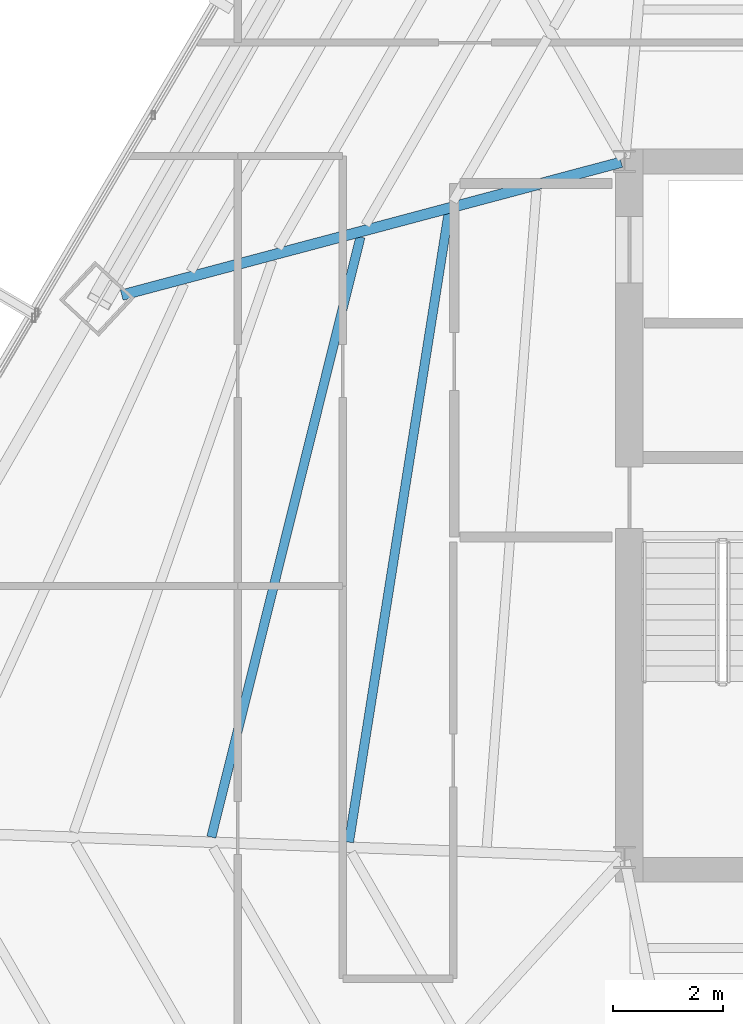
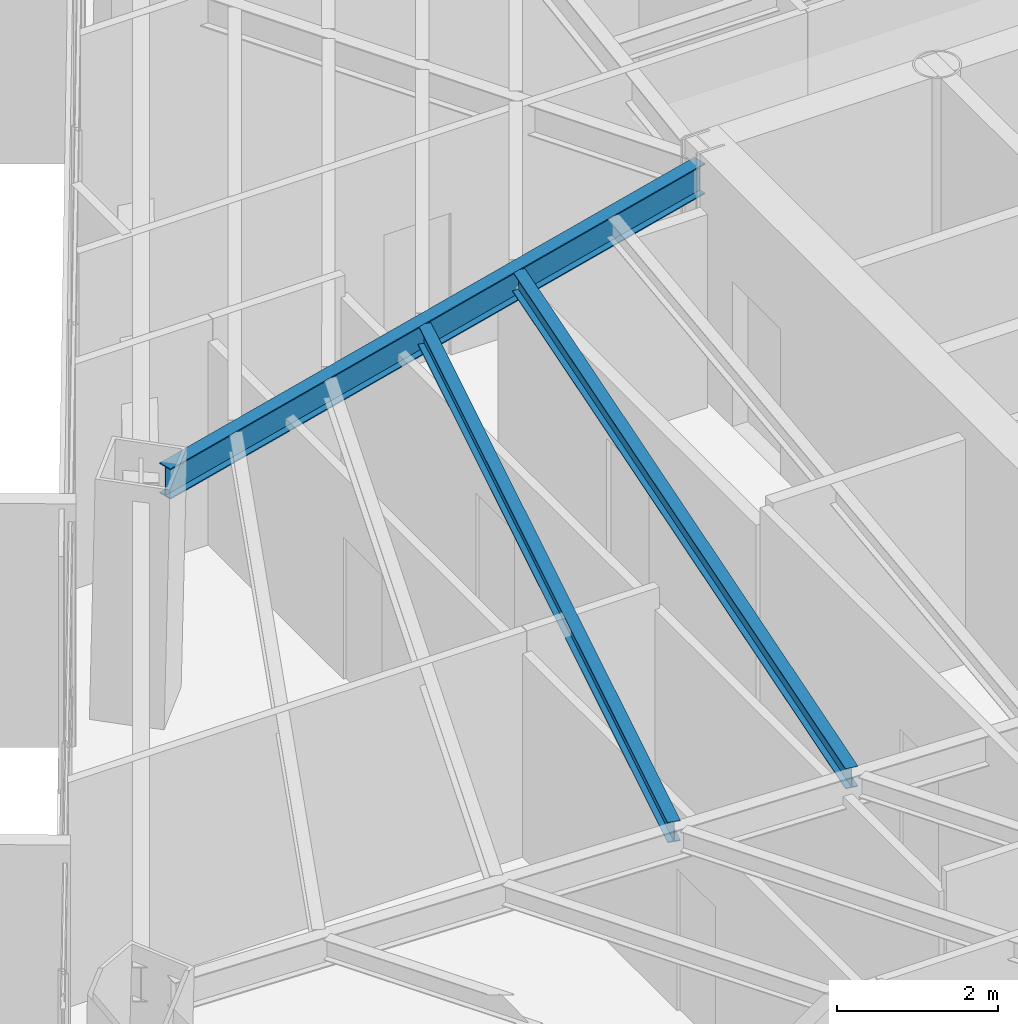
# One storey, part 13 of 41: 3 beams.
"""IFC4 building model written with IfcOpenShell, lengths in metres."""

from ifc_helpers import new_model, si_unit, direction, frame, origin, origin_2d, place, context, subcontext, project, spatial, i_section, extrude, source, transform, mapped, material, material_profile, profile_set, type_object, type_shapes, element, save


model = new_model("IFC4")

# Units and contexts
model_context = context("Model", 3, precision=1e-05, world=origin(), true_north=direction((0.0, 1.0)))
body_context = subcontext(model_context, "Body", "Model", "MODEL_VIEW")
ifc_project = project(units=[si_unit("LENGTHUNIT", "METRE"), si_unit("AREAUNIT", "SQUARE_METRE"), si_unit("VOLUMEUNIT", "CUBIC_METRE"), si_unit("PLANEANGLEUNIT", "RADIAN"), si_unit("MASSUNIT", "GRAM", prefix="KILO")], contexts=[model_context])

# Site, building, storey
site_placement = place(None, origin())
site = spatial("IfcSite", under=ifc_project, at=site_placement, CompositionType="ELEMENT")
building_placement = place(site_placement, origin())
building = spatial("IfcBuilding", under=site, at=building_placement, Name="Caelisora Broadcast Tower", CompositionType="ELEMENT")
storey_placement = place(building_placement, frame((0.0, 0.0, 162.14990234375)))
storey = spatial("IfcBuildingStorey", under=building, at=storey_placement, Name="L42", CompositionType="ELEMENT", Elevation=162.14990234375)

# Beams
ifc_material = material(Name="Steel Grade 350 (AS/NZS 3679.1)", Category="steel")
ifc_material_profile_1 = material_profile(ifc_material, i_section(OverallWidth=0.19091796875, OverallDepth=0.46044921875, WebThickness=0.010009765625, FlangeThickness=0.01611328125, at=origin_2d()), Name="Steel Grade 350 (AS/NZS 3679.1)")
ifc_profile_set_1 = profile_set([ifc_material_profile_1], Name="Steel Grade 350 (AS/NZS 3679.1)")
beam_type_1 = type_object("IfcBeamType", Name="PG06", PredefinedType="BEAM", material=ifc_profile_set_1)
shared_shape_1 = source(origin(), body_context, "Body", "SweptSolid", [
    extrude(i_section(OverallWidth=0.19091796875, OverallDepth=0.46044921875, WebThickness=0.010009765625, FlangeThickness=0.01611328125, at=origin_2d()), origin(), (0.0, 0.0, 1.0), 9.35693359375),
])
type_shapes(beam_type_1, [shared_shape_1])
beam_1_placement = place(storey_placement, frame((30.44189453125, 29.984619140625, 3.169921875), z_axis=(-0.966353497444, -0.257217647095, 0.0), x_axis=(0.257217647095, -0.966353497444, 0.0)))
element("IfcBeam", 1, at=beam_1_placement, inside=storey, type_object=beam_type_1, Name="L42 beam PG06", PredefinedType="BEAM", context=body_context, shape_type="MappedRepresentation", body=[
    mapped(shared_shape_1, transform((0.0, 0.0, 0.0), scale=1.0)),
])
ifc_material_profile_2 = material_profile(ifc_material, i_section(OverallWidth=0.166015625, OverallDepth=0.30712890625, WebThickness=0.006591796875, FlangeThickness=0.01171875, at=origin_2d()), Name="Steel Grade 350 (AS/NZS 3679.1)")
ifc_profile_set_2 = profile_set([ifc_material_profile_2], Name="Steel Grade 350 (AS/NZS 3679.1)")
beam_type_2 = type_object("IfcBeamType", Name="SB03", PredefinedType="JOIST", material=ifc_profile_set_2)
shared_shape_2 = source(origin(), body_context, "Body", "SweptSolid", [
    extrude(i_section(OverallWidth=0.166015625, OverallDepth=0.30712890625, WebThickness=0.006591796875, FlangeThickness=0.01171875, at=origin_2d()), origin(), (0.0, 0.0, 1.0), 11.523681640625),
])
beam_2_placement = place(storey_placement, frame((27.3154296875, 29.056396484375, 3.24658203125), z_axis=(-0.156395555916, -0.987694502409, 0.0), x_axis=(0.987694502409, -0.156395555916, 0.0)))
element("IfcBeam", 2, at=beam_2_placement, inside=storey, type_object=beam_type_2, Name="L42 beam SB03", PredefinedType="JOIST", context=body_context, shape_type="MappedRepresentation", body=[
    mapped(shared_shape_2, transform((0.0, 0.0, 0.0), scale=1.0)),
])
shared_shape_3 = source(origin(), body_context, "Body", "SweptSolid", [
    extrude(i_section(OverallWidth=0.166015625, OverallDepth=0.30712890625, WebThickness=0.006591796875, FlangeThickness=0.01171875, at=origin_2d()), origin(), (0.0, 0.0, 1.0), 11.197265625),
])
type_shapes(beam_type_2, [shared_shape_2, shared_shape_3])
beam_3_placement = place(storey_placement, frame((25.721435546875, 28.632080078125, 3.24658203125), z_axis=(-0.241170729956, -0.970482704128, 0.0), x_axis=(0.970482704128, -0.241170729956, 0.0)))
element("IfcBeam", 3, at=beam_3_placement, inside=storey, type_object=beam_type_2, Name="L42 beam SB03", PredefinedType="JOIST", context=body_context, shape_type="MappedRepresentation", body=[
    mapped(shared_shape_3, transform((0.0, 0.0, 0.0), scale=1.0)),
])

save(model, "model.ifc")
